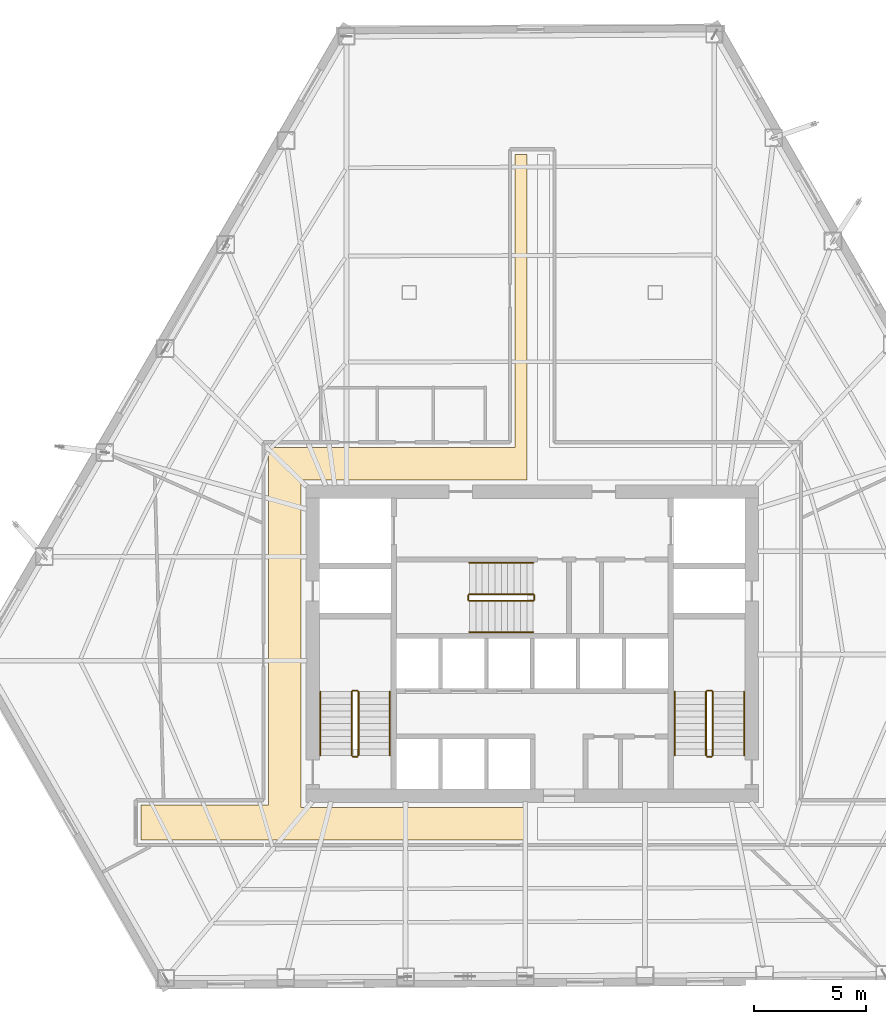
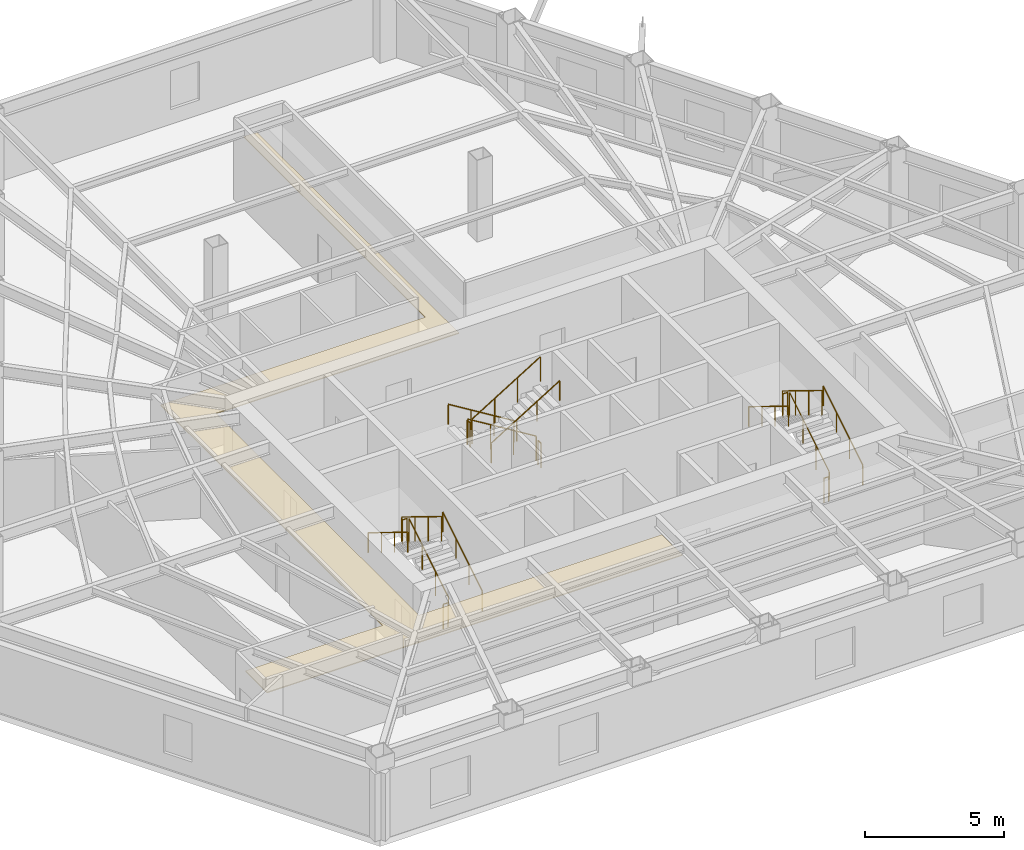
# One storey, part 11 of 12: 18 railings, 1 covering.
"""IFC4 building model written with IfcOpenShell, lengths in metres."""

from ifc_helpers import new_model, si_unit, direction, frame, origin, origin_2d, place, context, subcontext, project, spatial, polyline, circle, outline, extrude, material, layer, layer_set, type_object, element, save


model = new_model("IFC4")

# Units and contexts
model_context = context("Model", 3, precision=1e-05, world=origin(), true_north=direction((0.0, 1.0)))
body_context = subcontext(model_context, "Body", "Model", "MODEL_VIEW")
ifc_project = project(units=[si_unit("LENGTHUNIT", "METRE"), si_unit("AREAUNIT", "SQUARE_METRE"), si_unit("VOLUMEUNIT", "CUBIC_METRE"), si_unit("PLANEANGLEUNIT", "RADIAN"), si_unit("MASSUNIT", "GRAM", prefix="KILO")], contexts=[model_context])

# Site, building, storey
site_placement = place(None, origin())
site = spatial("IfcSite", under=ifc_project, at=site_placement, CompositionType="ELEMENT")
building_placement = place(site_placement, origin())
building = spatial("IfcBuilding", under=site, at=building_placement, Name="Kavelnor Concourse Tower", CompositionType="ELEMENT")
storey_placement = place(building_placement, frame((0.0, 0.0, 6.0)))
storey = spatial("IfcBuildingStorey", under=building, at=storey_placement, Name="L01", CompositionType="ELEMENT", Elevation=6.0)

# Covering
ifc_material_1 = material(Name="Mineral fibre acoustic ceiling tile")
ifc_layer = layer(ifc_material_1, 0.0400390625, Name="Mineral fibre acoustic ceiling tile")
ifc_layer_set = layer_set([ifc_layer], Name="Mineral fibre acoustic ceiling tile")
covering_type = type_object("IfcCoveringType", Name="COV-CEILING-ACOUSTIC", PredefinedType="CEILING", material=ifc_layer_set)
covering_placement = place(storey_placement, frame((0.0, 0.0, 2.75)))
element("IfcCovering", 1, at=covering_placement, inside=storey, type_object=covering_type, Name="L01 Suspended Acoustic Ceiling", PredefinedType="CEILING", context=body_context, shape_type="SweptSolid", body=[
    extrude(outline(polyline([(37.219970703125, 37.97998046875), (37.77490234375, 37.97998046875), (37.77490234375, 23.419921875), (27.659912109375, 23.419921875), (27.659912109375, 8.780029296875), (37.77490234375, 8.780029296875), (37.77490234375, 7.320068359375), (20.495849609375, 7.320068359375), (20.495849609375, 8.8798828125), (26.199951171875, 8.8798828125), (26.199951171875, 24.8798828125), (37.219970703125, 24.8798828125), (37.219970703125, 37.97998046875)])), origin(), (0.0, 0.0, 1.0), 0.0400390625),
])

# Railings
ifc_material_2 = material(Name="Steel Grade 350", Category="steel")
railing_type_1 = type_object("IfcRailingType", Name="RLG-GUARD-1100", PredefinedType="GUARDRAIL", material=ifc_material_2)
railing_1_placement = place(storey_placement, frame((30.22998046875, 11.10009765625, 0.175048828125)))
element("IfcRailing", 2, at=railing_1_placement, inside=storey, type_object=railing_type_1, Name="L01 ST1 stair guard 1", PredefinedType="GUARDRAIL", context=body_context, shape_type="SweptSolid", body=[
    extrude(circle(Radius=0.02392578125, at=origin_2d()), frame((0.0, 0.0, 1.076171875), z_axis=(0.0, 0.852159232446, 0.523282564737), x_axis=(-1.0, 0.0, 0.0)), (0.0, 0.0, 1.0), 3.34423828125),
    extrude(circle(Radius=0.02099609375, at=origin_2d()), origin(), (0.0, 0.0, 1.0), 1.052001953125),
    extrude(circle(Radius=0.02099609375, at=origin_2d()), frame((0.0, 0.949951171875, 0.583251953125)), (0.0, 0.0, 1.0), 1.052001953125),
    extrude(circle(Radius=0.02099609375, at=origin_2d()), frame((0.0, 1.89990234375, 1.166748046875)), (0.0, 0.0, 1.0), 1.052001953125),
    extrude(circle(Radius=0.02099609375, at=origin_2d()), frame((0.0, 2.849853515625, 1.75)), (0.0, 0.0, 1.0), 1.052001953125),
])
railing_2_placement = place(storey_placement, frame((30.179931640625, 14.0, 1.925048828125)))
element("IfcRailing", 3, at=railing_2_placement, inside=storey, type_object=railing_type_1, Name="L01 ST1 stair guard 2", PredefinedType="GUARDRAIL", context=body_context, shape_type="SweptSolid", body=[
    extrude(circle(Radius=0.02392578125, at=origin_2d()), frame((0.0, 0.0, 1.076171875), z_axis=(-1.0, 0.0, 0.0), x_axis=(0.0, -1.0, 0.0)), (0.0, 0.0, 1.0), 0.199951171875),
    extrude(circle(Radius=0.02099609375, at=origin_2d()), origin(), (0.0, 0.0, 1.0), 1.052001953125),
    extrude(circle(Radius=0.02099609375, at=origin_2d()), frame((-0.199951171875, 0.0, 0.0)), (0.0, 0.0, 1.0), 1.052001953125),
])
railing_3_placement = place(storey_placement, frame((29.929931640625, 13.949951171875, 2.10009765625)))
element("IfcRailing", 4, at=railing_3_placement, inside=storey, type_object=railing_type_1, Name="L01 ST1 stair guard 3", PredefinedType="GUARDRAIL", context=body_context, shape_type="SweptSolid", body=[
    extrude(circle(Radius=0.02392578125, at=origin_2d()), frame((0.0, 0.0, 1.076171875), z_axis=(0.0, -0.852159232446, 0.523282564737), x_axis=(1.0, 0.0, 0.0)), (0.0, 0.0, 1.0), 3.34423828125),
    extrude(circle(Radius=0.02099609375, at=origin_2d()), origin(), (0.0, 0.0, 1.0), 1.052001953125),
    extrude(circle(Radius=0.02099609375, at=origin_2d()), frame((0.0, -0.949951171875, 0.583251953125)), (0.0, 0.0, 1.0), 1.052001953125),
    extrude(circle(Radius=0.02099609375, at=origin_2d()), frame((0.0, -1.89990234375, 1.166748046875)), (0.0, 0.0, 1.0), 1.052001953125),
    extrude(circle(Radius=0.02099609375, at=origin_2d()), frame((0.0, -2.849853515625, 1.75)), (0.0, 0.0, 1.0), 1.052001953125),
])
railing_4_placement = place(storey_placement, frame((30.179931640625, 11.050048828125, 0.0)))
element("IfcRailing", 5, at=railing_4_placement, inside=storey, type_object=railing_type_1, Name="L01 ST1 stair guard 4", PredefinedType="GUARDRAIL", context=body_context, shape_type="SweptSolid", body=[
    extrude(circle(Radius=0.02392578125, at=origin_2d()), frame((0.0, 0.0, 1.076171875), z_axis=(-1.0, 0.0, 0.0), x_axis=(0.0, -1.0, 0.0)), (0.0, 0.0, 1.0), 0.199951171875),
    extrude(circle(Radius=0.02099609375, at=origin_2d()), origin(), (0.0, 0.0, 1.0), 1.052001953125),
    extrude(circle(Radius=0.02099609375, at=origin_2d()), frame((-0.199951171875, 0.0, 0.0)), (0.0, 0.0, 1.0), 1.052001953125),
])
railing_5_placement = place(storey_placement, frame((46.070068359375, 11.10009765625, 0.175048828125)))
element("IfcRailing", 6, at=railing_5_placement, inside=storey, type_object=railing_type_1, Name="L01 ST2 stair guard 1", PredefinedType="GUARDRAIL", context=body_context, shape_type="SweptSolid", body=[
    extrude(circle(Radius=0.02392578125, at=origin_2d()), frame((0.0, 0.0, 1.076171875), z_axis=(0.0, 0.852159232446, 0.523282564737), x_axis=(-1.0, 0.0, 0.0)), (0.0, 0.0, 1.0), 3.34423828125),
    extrude(circle(Radius=0.02099609375, at=origin_2d()), origin(), (0.0, 0.0, 1.0), 1.052001953125),
    extrude(circle(Radius=0.02099609375, at=origin_2d()), frame((0.0, 0.949951171875, 0.583251953125)), (0.0, 0.0, 1.0), 1.052001953125),
    extrude(circle(Radius=0.02099609375, at=origin_2d()), frame((0.0, 1.89990234375, 1.166748046875)), (0.0, 0.0, 1.0), 1.052001953125),
    extrude(circle(Radius=0.02099609375, at=origin_2d()), frame((0.0, 2.849853515625, 1.75)), (0.0, 0.0, 1.0), 1.052001953125),
])
railing_6_placement = place(storey_placement, frame((46.02001953125, 14.0, 1.925048828125)))
element("IfcRailing", 7, at=railing_6_placement, inside=storey, type_object=railing_type_1, Name="L01 ST2 stair guard 2", PredefinedType="GUARDRAIL", context=body_context, shape_type="SweptSolid", body=[
    extrude(circle(Radius=0.02392578125, at=origin_2d()), frame((0.0, 0.0, 1.076171875), z_axis=(-1.0, 0.0, 0.0), x_axis=(0.0, -1.0, 0.0)), (0.0, 0.0, 1.0), 0.199951171875),
    extrude(circle(Radius=0.02099609375, at=origin_2d()), origin(), (0.0, 0.0, 1.0), 1.052001953125),
    extrude(circle(Radius=0.02099609375, at=origin_2d()), frame((-0.199951171875, 0.0, 0.0)), (0.0, 0.0, 1.0), 1.052001953125),
])
railing_7_placement = place(storey_placement, frame((45.77001953125, 13.949951171875, 2.10009765625)))
element("IfcRailing", 8, at=railing_7_placement, inside=storey, type_object=railing_type_1, Name="L01 ST2 stair guard 3", PredefinedType="GUARDRAIL", context=body_context, shape_type="SweptSolid", body=[
    extrude(circle(Radius=0.02392578125, at=origin_2d()), frame((0.0, 0.0, 1.076171875), z_axis=(0.0, -0.852159232446, 0.523282564737), x_axis=(1.0, 0.0, 0.0)), (0.0, 0.0, 1.0), 3.34423828125),
    extrude(circle(Radius=0.02099609375, at=origin_2d()), origin(), (0.0, 0.0, 1.0), 1.052001953125),
    extrude(circle(Radius=0.02099609375, at=origin_2d()), frame((0.0, -0.949951171875, 0.583251953125)), (0.0, 0.0, 1.0), 1.052001953125),
    extrude(circle(Radius=0.02099609375, at=origin_2d()), frame((0.0, -1.89990234375, 1.166748046875)), (0.0, 0.0, 1.0), 1.052001953125),
    extrude(circle(Radius=0.02099609375, at=origin_2d()), frame((0.0, -2.849853515625, 1.75)), (0.0, 0.0, 1.0), 1.052001953125),
])
railing_8_placement = place(storey_placement, frame((46.02001953125, 11.050048828125, 0.0)))
element("IfcRailing", 9, at=railing_8_placement, inside=storey, type_object=railing_type_1, Name="L01 ST2 stair guard 4", PredefinedType="GUARDRAIL", context=body_context, shape_type="SweptSolid", body=[
    extrude(circle(Radius=0.02392578125, at=origin_2d()), frame((0.0, 0.0, 1.076171875), z_axis=(-1.0, 0.0, 0.0), x_axis=(0.0, -1.0, 0.0)), (0.0, 0.0, 1.0), 0.199951171875),
    extrude(circle(Radius=0.02099609375, at=origin_2d()), origin(), (0.0, 0.0, 1.0), 1.052001953125),
    extrude(circle(Radius=0.02099609375, at=origin_2d()), frame((-0.199951171875, 0.0, 0.0)), (0.0, 0.0, 1.0), 1.052001953125),
])
railing_9_placement = place(storey_placement, frame((38.0400390625, 18.31005859375, 0.175048828125)))
element("IfcRailing", 10, at=railing_9_placement, inside=storey, type_object=railing_type_1, Name="L01 ST3 stair guard 1", PredefinedType="GUARDRAIL", context=body_context, shape_type="SweptSolid", body=[
    extrude(circle(Radius=0.02392578125, at=origin_2d()), frame((0.0, 0.0, 1.076171875), z_axis=(-0.852179220489, 0.0, 0.52325001306), x_axis=(0.0, -1.0, 0.0)), (0.0, 0.0, 1.0), 3.344482421875),
    extrude(circle(Radius=0.02099609375, at=origin_2d()), origin(), (0.0, 0.0, 1.0), 1.052001953125),
    extrude(circle(Radius=0.02099609375, at=origin_2d()), frame((-0.949951171875, 0.0, 0.583251953125)), (0.0, 0.0, 1.0), 1.052001953125),
    extrude(circle(Radius=0.02099609375, at=origin_2d()), frame((-1.900146484375, 0.0, 1.166748046875)), (0.0, 0.0, 1.0), 1.052001953125),
    extrude(circle(Radius=0.02099609375, at=origin_2d()), frame((-2.85009765625, 0.0, 1.75)), (0.0, 0.0, 1.0), 1.052001953125),
])
railing_10_placement = place(storey_placement, frame((35.139892578125, 18.260009765625, 1.925048828125)))
element("IfcRailing", 11, at=railing_10_placement, inside=storey, type_object=railing_type_1, Name="L01 ST3 stair guard 2", PredefinedType="GUARDRAIL", context=body_context, shape_type="SweptSolid", body=[
    extrude(circle(Radius=0.02392578125, at=origin_2d()), frame((0.0, 0.0, 1.076171875), z_axis=(0.0, -1.0, 0.0), x_axis=(1.0, 0.0, 0.0)), (0.0, 0.0, 1.0), 0.199951171875),
    extrude(circle(Radius=0.02099609375, at=origin_2d()), origin(), (0.0, 0.0, 1.0), 1.052001953125),
    extrude(circle(Radius=0.02099609375, at=origin_2d()), frame((0.0, -0.199951171875, 0.0)), (0.0, 0.0, 1.0), 1.052001953125),
])
railing_11_placement = place(storey_placement, frame((35.18994140625, 18.010009765625, 2.10009765625)))
element("IfcRailing", 12, at=railing_11_placement, inside=storey, type_object=railing_type_1, Name="L01 ST3 stair guard 3", PredefinedType="GUARDRAIL", context=body_context, shape_type="SweptSolid", body=[
    extrude(circle(Radius=0.02392578125, at=origin_2d()), frame((0.0, 0.0, 1.076171875), z_axis=(0.852179220489, 0.0, 0.52325001306), x_axis=(0.0, 1.0, 0.0)), (0.0, 0.0, 1.0), 3.344482421875),
    extrude(circle(Radius=0.02099609375, at=origin_2d()), origin(), (0.0, 0.0, 1.0), 1.052001953125),
    extrude(circle(Radius=0.02099609375, at=origin_2d()), frame((0.949951171875, 0.0, 0.583251953125)), (0.0, 0.0, 1.0), 1.052001953125),
    extrude(circle(Radius=0.02099609375, at=origin_2d()), frame((1.900146484375, 0.0, 1.166748046875)), (0.0, 0.0, 1.0), 1.052001953125),
    extrude(circle(Radius=0.02099609375, at=origin_2d()), frame((2.85009765625, 0.0, 1.75)), (0.0, 0.0, 1.0), 1.052001953125),
])
railing_12_placement = place(storey_placement, frame((38.090087890625, 18.260009765625, 0.0)))
element("IfcRailing", 13, at=railing_12_placement, inside=storey, type_object=railing_type_1, Name="L01 ST3 stair guard 4", PredefinedType="GUARDRAIL", context=body_context, shape_type="SweptSolid", body=[
    extrude(circle(Radius=0.02392578125, at=origin_2d()), frame((0.0, 0.0, 1.076171875), z_axis=(0.0, -1.0, 0.0), x_axis=(1.0, 0.0, 0.0)), (0.0, 0.0, 1.0), 0.199951171875),
    extrude(circle(Radius=0.02099609375, at=origin_2d()), origin(), (0.0, 0.0, 1.0), 1.052001953125),
    extrude(circle(Radius=0.02099609375, at=origin_2d()), frame((0.0, -0.199951171875, 0.0)), (0.0, 0.0, 1.0), 1.052001953125),
])
railing_type_2 = type_object("IfcRailingType", Name="RLG-HANDRAIL-900", PredefinedType="HANDRAIL", material=ifc_material_2)
railing_13_placement = place(storey_placement, frame((31.6298828125, 11.10009765625, 0.175048828125)))
element("IfcRailing", 14, at=railing_13_placement, inside=storey, type_object=railing_type_2, Name="L01 ST1 stair handrail 1", PredefinedType="HANDRAIL", context=body_context, shape_type="SweptSolid", body=[
    extrude(circle(Radius=0.02392578125, at=origin_2d()), frame((0.0, 0.0, 0.8759765625), z_axis=(0.0, 0.852159232446, 0.523282564737), x_axis=(-1.0, 0.0, 0.0)), (0.0, 0.0, 1.0), 3.34423828125),
    extrude(circle(Radius=0.02099609375, at=origin_2d()), origin(), (0.0, 0.0, 1.0), 0.851806640625),
    extrude(circle(Radius=0.02099609375, at=origin_2d()), frame((0.0, 0.949951171875, 0.583251953125)), (0.0, 0.0, 1.0), 0.851806640625),
    extrude(circle(Radius=0.02099609375, at=origin_2d()), frame((0.0, 1.89990234375, 1.166748046875)), (0.0, 0.0, 1.0), 0.851806640625),
    extrude(circle(Radius=0.02099609375, at=origin_2d()), frame((0.0, 2.849853515625, 1.75)), (0.0, 0.0, 1.0), 0.851806640625),
])
railing_14_placement = place(storey_placement, frame((28.530029296875, 13.949951171875, 2.10009765625)))
element("IfcRailing", 15, at=railing_14_placement, inside=storey, type_object=railing_type_2, Name="L01 ST1 stair handrail 2", PredefinedType="HANDRAIL", context=body_context, shape_type="SweptSolid", body=[
    extrude(circle(Radius=0.02392578125, at=origin_2d()), frame((0.0, 0.0, 0.8759765625), z_axis=(0.0, -0.852159232446, 0.523282564737), x_axis=(1.0, 0.0, 0.0)), (0.0, 0.0, 1.0), 3.34423828125),
    extrude(circle(Radius=0.02099609375, at=origin_2d()), origin(), (0.0, 0.0, 1.0), 0.851806640625),
    extrude(circle(Radius=0.02099609375, at=origin_2d()), frame((0.0, -0.949951171875, 0.583251953125)), (0.0, 0.0, 1.0), 0.851806640625),
    extrude(circle(Radius=0.02099609375, at=origin_2d()), frame((0.0, -1.89990234375, 1.166748046875)), (0.0, 0.0, 1.0), 0.851806640625),
    extrude(circle(Radius=0.02099609375, at=origin_2d()), frame((0.0, -2.849853515625, 1.75)), (0.0, 0.0, 1.0), 0.851806640625),
])
railing_15_placement = place(storey_placement, frame((47.469970703125, 11.10009765625, 0.175048828125)))
element("IfcRailing", 16, at=railing_15_placement, inside=storey, type_object=railing_type_2, Name="L01 ST2 stair handrail 1", PredefinedType="HANDRAIL", context=body_context, shape_type="SweptSolid", body=[
    extrude(circle(Radius=0.02392578125, at=origin_2d()), frame((0.0, 0.0, 0.8759765625), z_axis=(0.0, 0.852159232446, 0.523282564737), x_axis=(-1.0, 0.0, 0.0)), (0.0, 0.0, 1.0), 3.34423828125),
    extrude(circle(Radius=0.02099609375, at=origin_2d()), origin(), (0.0, 0.0, 1.0), 0.851806640625),
    extrude(circle(Radius=0.02099609375, at=origin_2d()), frame((0.0, 0.949951171875, 0.583251953125)), (0.0, 0.0, 1.0), 0.851806640625),
    extrude(circle(Radius=0.02099609375, at=origin_2d()), frame((0.0, 1.89990234375, 1.166748046875)), (0.0, 0.0, 1.0), 0.851806640625),
    extrude(circle(Radius=0.02099609375, at=origin_2d()), frame((0.0, 2.849853515625, 1.75)), (0.0, 0.0, 1.0), 0.851806640625),
])
railing_16_placement = place(storey_placement, frame((44.3701171875, 13.949951171875, 2.10009765625)))
element("IfcRailing", 17, at=railing_16_placement, inside=storey, type_object=railing_type_2, Name="L01 ST2 stair handrail 2", PredefinedType="HANDRAIL", context=body_context, shape_type="SweptSolid", body=[
    extrude(circle(Radius=0.02392578125, at=origin_2d()), frame((0.0, 0.0, 0.8759765625), z_axis=(0.0, -0.852159232446, 0.523282564737), x_axis=(1.0, 0.0, 0.0)), (0.0, 0.0, 1.0), 3.34423828125),
    extrude(circle(Radius=0.02099609375, at=origin_2d()), origin(), (0.0, 0.0, 1.0), 0.851806640625),
    extrude(circle(Radius=0.02099609375, at=origin_2d()), frame((0.0, -0.949951171875, 0.583251953125)), (0.0, 0.0, 1.0), 0.851806640625),
    extrude(circle(Radius=0.02099609375, at=origin_2d()), frame((0.0, -1.89990234375, 1.166748046875)), (0.0, 0.0, 1.0), 0.851806640625),
    extrude(circle(Radius=0.02099609375, at=origin_2d()), frame((0.0, -2.849853515625, 1.75)), (0.0, 0.0, 1.0), 0.851806640625),
])
railing_17_placement = place(storey_placement, frame((38.0400390625, 19.7099609375, 0.175048828125)))
element("IfcRailing", 18, at=railing_17_placement, inside=storey, type_object=railing_type_2, Name="L01 ST3 stair handrail 1", PredefinedType="HANDRAIL", context=body_context, shape_type="SweptSolid", body=[
    extrude(circle(Radius=0.02392578125, at=origin_2d()), frame((0.0, 0.0, 0.8759765625), z_axis=(-0.852179220489, 0.0, 0.52325001306), x_axis=(0.0, -1.0, 0.0)), (0.0, 0.0, 1.0), 3.344482421875),
    extrude(circle(Radius=0.02099609375, at=origin_2d()), origin(), (0.0, 0.0, 1.0), 0.851806640625),
    extrude(circle(Radius=0.02099609375, at=origin_2d()), frame((-0.949951171875, 0.0, 0.583251953125)), (0.0, 0.0, 1.0), 0.851806640625),
    extrude(circle(Radius=0.02099609375, at=origin_2d()), frame((-1.900146484375, 0.0, 1.166748046875)), (0.0, 0.0, 1.0), 0.851806640625),
    extrude(circle(Radius=0.02099609375, at=origin_2d()), frame((-2.85009765625, 0.0, 1.75)), (0.0, 0.0, 1.0), 0.851806640625),
])
railing_18_placement = place(storey_placement, frame((35.18994140625, 16.610107421875, 2.10009765625)))
element("IfcRailing", 19, at=railing_18_placement, inside=storey, type_object=railing_type_2, Name="L01 ST3 stair handrail 2", PredefinedType="HANDRAIL", context=body_context, shape_type="SweptSolid", body=[
    extrude(circle(Radius=0.02392578125, at=origin_2d()), frame((0.0, 0.0, 0.8759765625), z_axis=(0.852179220489, 0.0, 0.52325001306), x_axis=(0.0, 1.0, 0.0)), (0.0, 0.0, 1.0), 3.344482421875),
    extrude(circle(Radius=0.02099609375, at=origin_2d()), origin(), (0.0, 0.0, 1.0), 0.851806640625),
    extrude(circle(Radius=0.02099609375, at=origin_2d()), frame((0.949951171875, 0.0, 0.583251953125)), (0.0, 0.0, 1.0), 0.851806640625),
    extrude(circle(Radius=0.02099609375, at=origin_2d()), frame((1.900146484375, 0.0, 1.166748046875)), (0.0, 0.0, 1.0), 0.851806640625),
    extrude(circle(Radius=0.02099609375, at=origin_2d()), frame((2.85009765625, 0.0, 1.75)), (0.0, 0.0, 1.0), 0.851806640625),
])

save(model, "model.ifc")
